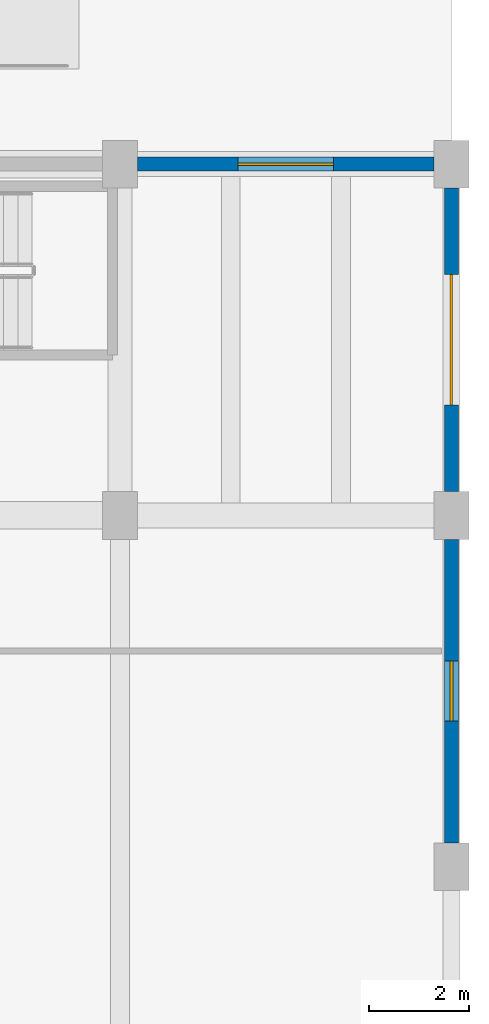
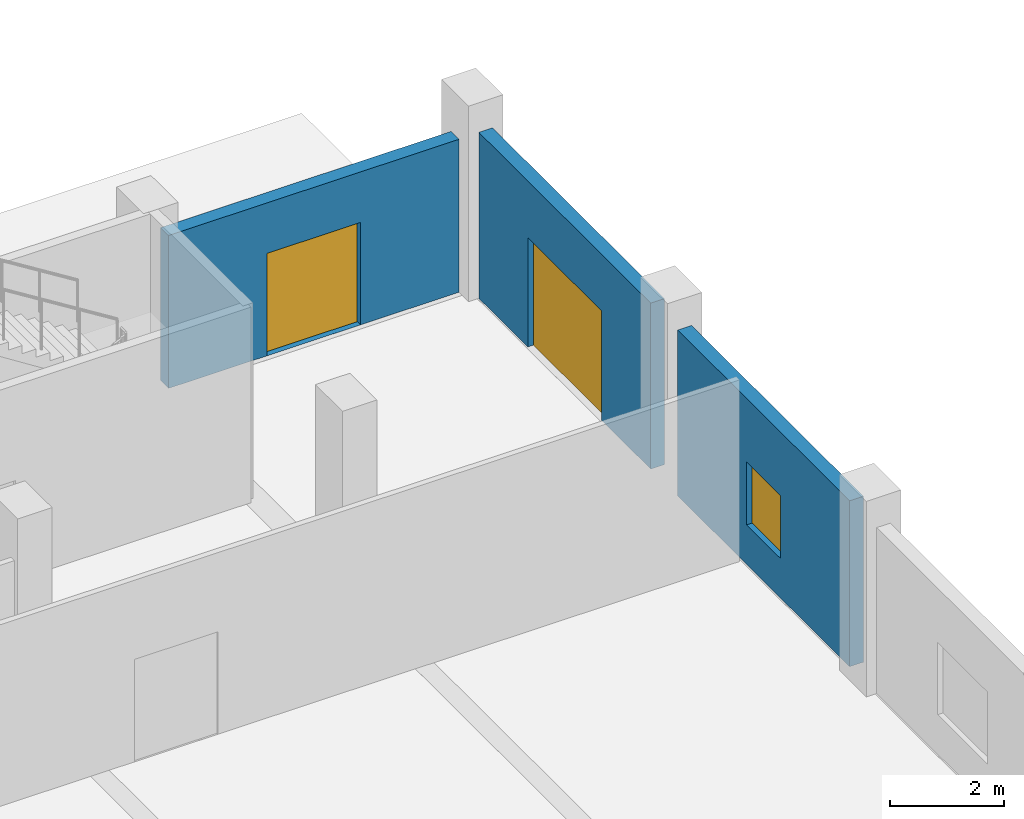
# One storey, part 52 of 69: 3 walls, 2 doors, 1 window, 3 openings.
"""IFC4 building model written with IfcOpenShell, lengths in metres."""

from ifc_helpers import new_model, si_unit, direction, frame, frame_2d, origin, place, context, subcontext, project, spatial, rectangle, extrude, material, layer, layer_set, type_object, element, fill, save


model = new_model("IFC4")

# Units and contexts
model_context = context("Model", 3, precision=1e-05, world=origin(), true_north=direction((0.0, 1.0)))
body_context = subcontext(model_context, "Body", "Model", "MODEL_VIEW")
ifc_project = project(units=[si_unit("LENGTHUNIT", "METRE"), si_unit("AREAUNIT", "SQUARE_METRE"), si_unit("VOLUMEUNIT", "CUBIC_METRE"), si_unit("PLANEANGLEUNIT", "RADIAN"), si_unit("MASSUNIT", "GRAM", prefix="KILO")], contexts=[model_context])

# Site, building, storey
site_placement = place(None, origin())
site = spatial("IfcSite", under=ifc_project, at=site_placement, CompositionType="ELEMENT")
building_placement = place(site_placement, origin())
building = spatial("IfcBuilding", under=site, at=building_placement, Name="Ciguamira Faculty of Natural Sciences", CompositionType="ELEMENT")
storey_placement = place(building_placement, origin())
storey = spatial("IfcBuildingStorey", under=building, at=storey_placement, Name="L00", CompositionType="ELEMENT", Elevation=0.0)

# Wall, opening, door
ifc_material_1 = material(Name="Precast concrete C40/50", Category="concrete")
ifc_layer = layer(ifc_material_1, 0.280029296875, Name="Precast concrete C40/50")
ifc_layer_set = layer_set([ifc_layer], Name="Precast concrete C40/50")
wall_type = type_object("IfcWallType", Name="ExtWall_EW-01_280", PredefinedType="SOLIDWALL", material=ifc_layer_set)
wall_1_placement = place(storey_placement, frame((163.25, 24.0, 0.0), z_axis=(0.0, 0.0, 1.0), x_axis=(1.0, 0.0, 0.0)))
wall_1 = element("IfcWall", 1, at=wall_1_placement, inside=storey, type_object=wall_type, Name="L00 exterior wall 0089", PredefinedType="SOLIDWALL", context=body_context, shape_type="SweptSolid", body=[
    extrude(rectangle(XDim=5.89990234375, YDim=0.280029296875, at=frame_2d((2.949951171875, 0.0))), origin(), (0.0, 0.0, 1.0), 3.284912109375),
])
opening_1_placement = place(wall_1_placement, frame((2.0, 0.0, 0.0)))
opening_1 = element("IfcOpeningElement", 2, at=opening_1_placement, cuts=wall_1, Name="Opening ED-04", PredefinedType="OPENING", context=body_context, shape_type="SweptSolid", body=[
    extrude(rectangle(XDim=1.89990234375, YDim=2.199951171875, at=frame_2d((0.949951171875, 1.10009765625))), frame((0.0, 0.14990234375, 0.0), z_axis=(0.0, -1.0, 0.0), x_axis=(1.0, 0.0, 0.0)), (0.0, 0.0, 1.0), 0.300048828125),
])
ifc_material_2 = material(Name="Stair final exit discharge double door")
door_type_1 = type_object("IfcDoorType", Name="ExtDoor_ED-04_1900x2200", OperationType="NOTDEFINED", PredefinedType="DOOR", material=ifc_material_2)
door_1_placement = place(opening_1_placement, origin())
door_1 = element("IfcDoor", 3, at=door_1_placement, inside=storey, type_object=door_type_1, Name="Lecture Pavilion East Foyer Exit ED-09", OperationType="DOUBLE_DOOR_SINGLE_SWING", OverallHeight=2.199951171875, OverallWidth=1.89990234375, PredefinedType="DOOR", context=body_context, shape_type="SweptSolid", body=[
    extrude(rectangle(XDim=1.89990234375, YDim=2.199951171875, at=frame_2d((0.949951171875, 1.10009765625))), frame((0.0, 0.02490234375, 0.0), z_axis=(0.0, -1.0, 0.0), x_axis=(1.0, 0.0, 0.0)), (0.0, 0.0, 1.0), 0.050048828125),
])
fill(opening_1, door_1)

# Wall, opening, window
wall_2_placement = place(storey_placement, frame((169.5, 10.47509765625, 0.0), z_axis=(0.0, 0.0, 1.0), x_axis=(0.0, 1.0, 0.0)))
wall_2 = element("IfcWall", 4, at=wall_2_placement, inside=storey, type_object=wall_type, Name="L00 exterior wall 0135", PredefinedType="SOLIDWALL", context=body_context, shape_type="SweptSolid", body=[
    extrude(rectangle(XDim=6.0498046875, YDim=0.280029296875, at=frame_2d((3.02490234375, 0.0))), origin(), (0.0, 0.0, 1.0), 3.56494140625),
])
opening_2_placement = place(wall_2_placement, frame((2.425048828125, 0.0, 0.85009765625)))
opening_2 = element("IfcOpeningElement", 5, at=opening_2_placement, cuts=wall_2, Name="Opening WT-01", PredefinedType="OPENING", context=body_context, shape_type="SweptSolid", body=[
    extrude(rectangle(XDim=1.199951171875, YDim=1.35009765625, at=frame_2d((0.60009765625, 0.675048828125))), frame((0.0, 0.14990234375, 0.0), z_axis=(0.0, -1.0, 0.0), x_axis=(1.0, 0.0, 0.0)), (0.0, 0.0, 1.0), 0.300048828125),
])
ifc_material_3 = material(Name="Hurricane laminated solar glass", Category="glass")
window_type = type_object("IfcWindowType", Name="Window_WT-01_1200x1350", PartitioningType="DOUBLE_PANEL_VERTICAL", PredefinedType="WINDOW", material=ifc_material_3)
window_placement = place(opening_2_placement, origin())
window = element("IfcWindow", 6, at=window_placement, inside=storey, type_object=window_type, Name="L00 facade window 0052", OverallHeight=1.35009765625, OverallWidth=1.199951171875, PartitioningType="SINGLE_PANEL", PredefinedType="WINDOW", context=body_context, shape_type="SweptSolid", body=[
    extrude(rectangle(XDim=1.199951171875, YDim=1.35009765625, at=frame_2d((0.60009765625, 0.675048828125))), frame((0.0, 0.030029296875, 0.0), z_axis=(0.0, -1.0, 0.0), x_axis=(1.0, 0.0, 0.0)), (0.0, 0.0, 1.0), 0.06005859375),
])
fill(opening_2, window)

# Wall, opening, door
wall_3_placement = place(storey_placement, frame((169.5, 17.47509765625, 0.0), z_axis=(0.0, 0.0, 1.0), x_axis=(0.0, 1.0, 0.0)))
wall_3 = element("IfcWall", 7, at=wall_3_placement, inside=storey, type_object=wall_type, Name="L00 exterior wall 0136", PredefinedType="SOLIDWALL", context=body_context, shape_type="SweptSolid", body=[
    extrude(rectangle(XDim=6.0498046875, YDim=0.280029296875, at=frame_2d((3.02490234375, 0.0))), origin(), (0.0, 0.0, 1.0), 3.56494140625),
])
opening_3_placement = place(wall_3_placement, frame((1.72509765625, 0.0, 0.0)))
opening_3 = element("IfcOpeningElement", 8, at=opening_3_placement, cuts=wall_3, Name="Opening GD-02", PredefinedType="OPENING", context=body_context, shape_type="SweptSolid", body=[
    extrude(rectangle(XDim=2.60009765625, YDim=2.35009765625, at=frame_2d((1.300048828125, 1.175048828125))), frame((0.0, 0.14990234375, 0.0), z_axis=(0.0, -1.0, 0.0), x_axis=(1.0, 0.0, 0.0)), (0.0, 0.0, 1.0), 0.300048828125),
])
ifc_material_4 = material(Name="Specimen yard delivery gate")
door_type_2 = type_object("IfcDoorType", Name="ExtDoor_GD-02_2600x2350", OperationType="NOTDEFINED", PredefinedType="GATE", material=ifc_material_4)
door_2_placement = place(opening_3_placement, frame((2.60009765625, 0.0, 0.0), z_axis=(0.0, 0.0, 1.0), x_axis=(-1.0, 0.0, 0.0)))
door_2 = element("IfcDoor", 9, at=door_2_placement, inside=storey, type_object=door_type_2, Name="Auditorium Stage Loading Gate GD-03", OperationType="DOUBLE_DOOR_SINGLE_SWING", OverallHeight=2.35009765625, OverallWidth=2.60009765625, PredefinedType="GATE", context=body_context, shape_type="SweptSolid", body=[
    extrude(rectangle(XDim=2.60009765625, YDim=2.35009765625, at=frame_2d((1.300048828125, 1.175048828125))), frame((0.0, 0.02490234375, 0.0), z_axis=(0.0, -1.0, 0.0), x_axis=(1.0, 0.0, 0.0)), (0.0, 0.0, 1.0), 0.050048828125),
])
fill(opening_3, door_2)

save(model, "model.ifc")
